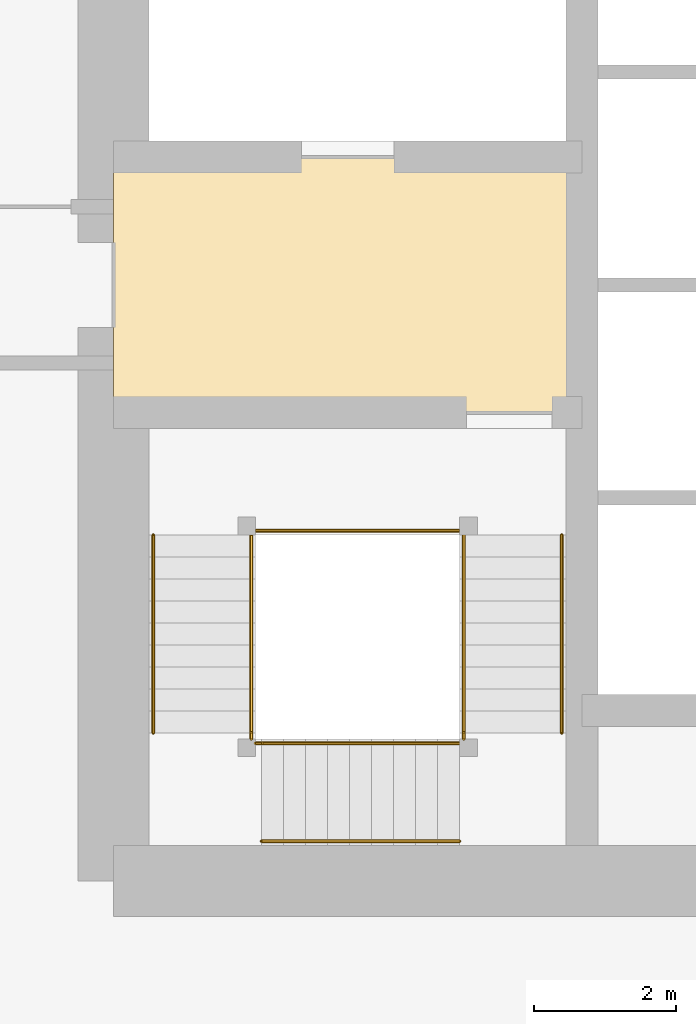
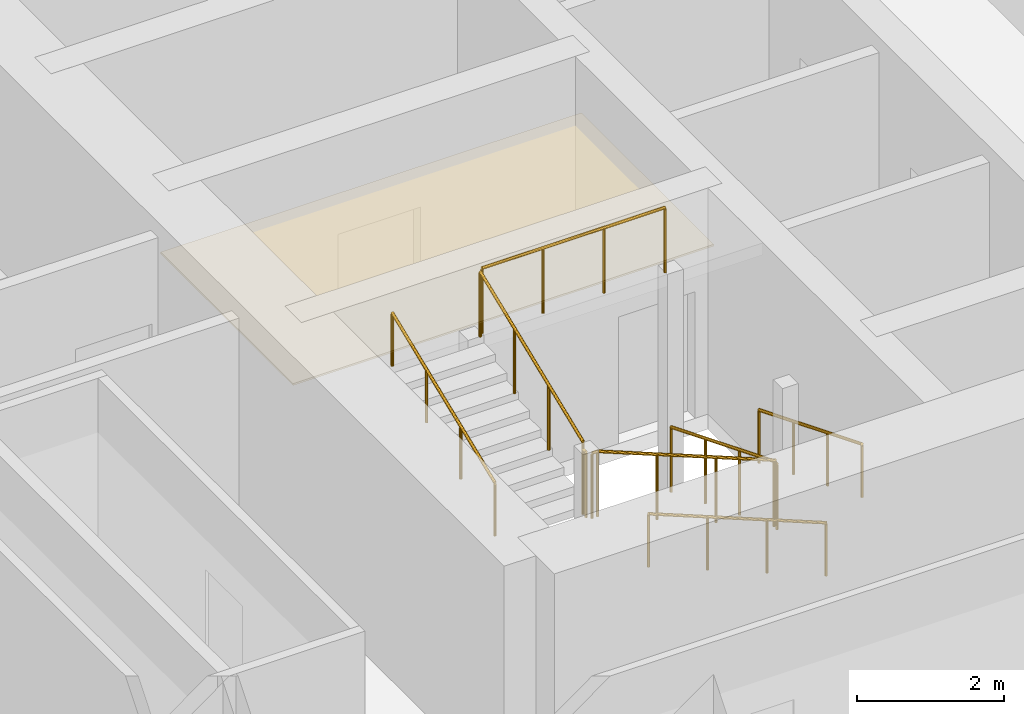
# One storey, part 32 of 38: 10 railings, 1 covering.
"""IFC4 building model written with IfcOpenShell, lengths in metres."""

from ifc_helpers import new_model, si_unit, direction, frame, origin, origin_2d, place, context, subcontext, project, spatial, polyline, circle, outline, extrude, material, layer, layer_set, type_object, element, save


model = new_model("IFC4")

# Units and contexts
model_context = context("Model", 3, precision=1e-05, world=origin(), true_north=direction((0.0, 1.0)))
body_context = subcontext(model_context, "Body", "Model", "MODEL_VIEW")
ifc_project = project(units=[si_unit("LENGTHUNIT", "METRE"), si_unit("AREAUNIT", "SQUARE_METRE"), si_unit("VOLUMEUNIT", "CUBIC_METRE"), si_unit("PLANEANGLEUNIT", "RADIAN"), si_unit("MASSUNIT", "GRAM", prefix="KILO")], contexts=[model_context])

# Site, building, storey
site_placement = place(None, origin())
site = spatial("IfcSite", under=ifc_project, at=site_placement, CompositionType="ELEMENT")
building_placement = place(site_placement, origin())
building = spatial("IfcBuilding", under=site, at=building_placement, Name="Rekha Terrace Tower", CompositionType="ELEMENT")
storey_placement = place(building_placement, frame((0.0, 0.0, 114.050048828125)))
storey = spatial("IfcBuildingStorey", under=building, at=storey_placement, Name="L28", CompositionType="ELEMENT", Elevation=114.050048828125)

# Covering
ifc_material_1 = material(Name="Powder-coated aluminium pan", Category="aluminium")
ifc_layer = layer(ifc_material_1, 0.030029296875)
ifc_layer_set = layer_set([ifc_layer], Name="Powder-coated aluminium pan")
covering_type = type_object("IfcCoveringType", Name="CL3 300x1200 metal pan ceiling", PredefinedType="CEILING", material=ifc_layer_set)
covering_placement = place(storey_placement, frame((0.0, 0.0, 2.570068359375)))
element("IfcCovering", 1, at=covering_placement, inside=storey, type_object=covering_type, Name="Ceiling L28-FLB1", PredefinedType="CEILING", context=body_context, shape_type="SweptSolid", body=[
    extrude(outline(polyline([(31.800048828125, 31.199951171875), (25.199951171875, 31.199951171875), (25.199951171875, 27.60009765625), (31.800048828125, 27.60009765625), (31.800048828125, 31.199951171875)])), origin(), (0.0, 0.0, 1.0), 0.02978515625),
])

# Railings
ifc_material_2 = material(Name="Stainless steel balustrade", Category="steel")
railing_type_1 = type_object("IfcRailingType", Name="GR1 1100 stair guard", PredefinedType="GUARDRAIL", material=ifc_material_2)
railing_1_placement = place(storey_placement, frame((30.135009765625, 25.875, 0.125)))
element("IfcRailing", 2, at=railing_1_placement, inside=storey, type_object=railing_type_1, Name="Guard ST1 L28 flight 1", PredefinedType="GUARDRAIL", context=body_context, shape_type="SweptSolid", body=[
    extrude(circle(Radius=0.02392578125, at=origin_2d()), frame((0.0, 0.0, 1.076171875), z_axis=(0.0, -0.927443287984, 0.373963831907), x_axis=(1.0, 0.0, 0.0)), (0.0, 0.0, 1.0), 3.00830078125),
    extrude(circle(Radius=0.02099609375, at=origin_2d()), origin(), (0.0, 0.0, 1.0), 1.052001953125),
    extrude(circle(Radius=0.02099609375, at=origin_2d()), frame((0.0, -0.929931640625, 0.375)), (0.0, 0.0, 1.0), 1.052001953125),
    extrude(circle(Radius=0.02099609375, at=origin_2d()), frame((0.0, -1.860107421875, 0.75)), (0.0, 0.0, 1.0), 1.052001953125),
    extrude(circle(Radius=0.02099609375, at=origin_2d()), frame((0.0, -2.7900390625, 1.125)), (0.0, 0.0, 1.0), 1.052001953125),
])
railing_2_placement = place(storey_placement, frame((30.074951171875, 22.93994140625, 1.375)))
element("IfcRailing", 3, at=railing_2_placement, inside=storey, type_object=railing_type_1, Name="Guard ST1 L28 flight 2", PredefinedType="GUARDRAIL", context=body_context, shape_type="SweptSolid", body=[
    extrude(circle(Radius=0.02392578125, at=origin_2d()), frame((0.0, 0.0, 1.076171875), z_axis=(-0.927443287984, 0.0, 0.373963831907), x_axis=(0.0, -1.0, 0.0)), (0.0, 0.0, 1.0), 3.00830078125),
    extrude(circle(Radius=0.02099609375, at=origin_2d()), origin(), (0.0, 0.0, 1.0), 1.052001953125),
    extrude(circle(Radius=0.02099609375, at=origin_2d()), frame((-0.929931640625, 0.0, 0.375)), (0.0, 0.0, 1.0), 1.052001953125),
    extrude(circle(Radius=0.02099609375, at=origin_2d()), frame((-1.860107421875, 0.0, 0.75)), (0.0, 0.0, 1.0), 1.052001953125),
    extrude(circle(Radius=0.02099609375, at=origin_2d()), frame((-2.7900390625, 0.0, 1.125)), (0.0, 0.0, 1.0), 1.052001953125),
])
railing_3_placement = place(storey_placement, frame((27.139892578125, 23.0849609375, 2.625)))
element("IfcRailing", 4, at=railing_3_placement, inside=storey, type_object=railing_type_1, Name="Guard ST1 L28 flight 3", PredefinedType="GUARDRAIL", context=body_context, shape_type="SweptSolid", body=[
    extrude(circle(Radius=0.02392578125, at=origin_2d()), frame((0.0, 0.0, 1.076171875), z_axis=(0.0, 0.927443287984, 0.373963831907), x_axis=(-1.0, 0.0, 0.0)), (0.0, 0.0, 1.0), 3.00830078125),
    extrude(circle(Radius=0.02099609375, at=origin_2d()), origin(), (0.0, 0.0, 1.0), 1.052001953125),
    extrude(circle(Radius=0.02099609375, at=origin_2d()), frame((0.0, 0.929931640625, 0.375)), (0.0, 0.0, 1.0), 1.052001953125),
    extrude(circle(Radius=0.02099609375, at=origin_2d()), frame((0.0, 1.860107421875, 0.75)), (0.0, 0.0, 1.0), 1.052001953125),
    extrude(circle(Radius=0.02099609375, at=origin_2d()), frame((0.0, 2.7900390625, 1.125)), (0.0, 0.0, 1.0), 1.052001953125),
])
railing_4_placement = place(storey_placement, frame((30.135009765625, 23.0849609375, 1.25)))
element("IfcRailing", 5, at=railing_4_placement, inside=storey, type_object=railing_type_1, Name="Guard ST1 L28 landing 1", PredefinedType="GUARDRAIL", context=body_context, shape_type="SweptSolid", body=[
    extrude(circle(Radius=0.02392578125, at=origin_2d()), frame((0.0, 0.0, 1.076171875), z_axis=(0.0, -1.0, 0.0), x_axis=(1.0, 0.0, 0.0)), (0.0, 0.0, 1.0), 0.0849609375),
    extrude(circle(Radius=0.02099609375, at=origin_2d()), origin(), (0.0, 0.0, 1.0), 1.052001953125),
    extrude(circle(Radius=0.02099609375, at=origin_2d()), frame((0.0, -0.0849609375, 0.0)), (0.0, 0.0, 1.0), 1.052001953125),
])
railing_5_placement = place(storey_placement, frame((27.284912109375, 22.93994140625, 2.5)))
element("IfcRailing", 6, at=railing_5_placement, inside=storey, type_object=railing_type_1, Name="Guard ST1 L28 landing 2", PredefinedType="GUARDRAIL", context=body_context, shape_type="SweptSolid", body=[
    extrude(circle(Radius=0.02392578125, at=origin_2d()), frame((0.0, 0.0, 1.076171875), z_axis=(-1.0, 0.0, 0.0), x_axis=(0.0, -1.0, 0.0)), (0.0, 0.0, 1.0), 0.0849609375),
    extrude(circle(Radius=0.02099609375, at=origin_2d()), origin(), (0.0, 0.0, 1.0), 1.052001953125),
    extrude(circle(Radius=0.02099609375, at=origin_2d()), frame((-0.0849609375, 0.0, 0.0)), (0.0, 0.0, 1.0), 1.052001953125),
])
railing_6_placement = place(storey_placement, frame((27.139892578125, 23.0849609375, 2.5)))
element("IfcRailing", 7, at=railing_6_placement, inside=storey, type_object=railing_type_1, Name="Guard ST1 L28 landing 3", PredefinedType="GUARDRAIL", context=body_context, shape_type="SweptSolid", body=[
    extrude(circle(Radius=0.02392578125, at=origin_2d()), frame((0.0, 0.0, 1.076171875), z_axis=(0.0, -1.0, 0.0), x_axis=(1.0, 0.0, 0.0)), (0.0, 0.0, 1.0), 0.0849609375),
    extrude(circle(Radius=0.02099609375, at=origin_2d()), origin(), (0.0, 0.0, 1.0), 1.052001953125),
    extrude(circle(Radius=0.02099609375, at=origin_2d()), frame((0.0, -0.0849609375, 0.0)), (0.0, 0.0, 1.0), 1.052001953125),
])
railing_7_placement = place(storey_placement, frame((30.074951171875, 25.93505859375, 3.75)))
element("IfcRailing", 8, at=railing_7_placement, inside=storey, type_object=railing_type_1, Name="Guard ST1 L28 landing 4", PredefinedType="GUARDRAIL", context=body_context, shape_type="SweptSolid", body=[
    extrude(circle(Radius=0.02392578125, at=origin_2d()), frame((0.0, 0.0, 1.076171875), z_axis=(-1.0, 0.0, 0.0), x_axis=(0.0, -1.0, 0.0)), (0.0, 0.0, 1.0), 2.875),
    extrude(circle(Radius=0.02099609375, at=origin_2d()), origin(), (0.0, 0.0, 1.0), 1.052001953125),
    extrude(circle(Radius=0.02099609375, at=origin_2d()), frame((-0.958251953125, 0.0, 0.0)), (0.0, 0.0, 1.0), 1.052001953125),
    extrude(circle(Radius=0.02099609375, at=origin_2d()), frame((-1.916748046875, 0.0, 0.0)), (0.0, 0.0, 1.0), 1.052001953125),
    extrude(circle(Radius=0.02099609375, at=origin_2d()), frame((-2.875, 0.0, 0.0)), (0.0, 0.0, 1.0), 1.052001953125),
])
ifc_material_3 = material(Name="Stainless steel tube", Category="steel")
railing_type_2 = type_object("IfcRailingType", Name="HR1 900 stair handrail", PredefinedType="HANDRAIL", material=ifc_material_3)
railing_8_placement = place(storey_placement, frame((31.514892578125, 25.875, 0.125)))
element("IfcRailing", 9, at=railing_8_placement, inside=storey, type_object=railing_type_2, Name="Handrail ST1 L28 flight 1", PredefinedType="HANDRAIL", context=body_context, shape_type="SweptSolid", body=[
    extrude(circle(Radius=0.02392578125, at=origin_2d()), frame((0.0, 0.0, 0.8759765625), z_axis=(0.0, -0.927443287984, 0.373963831907), x_axis=(1.0, 0.0, 0.0)), (0.0, 0.0, 1.0), 3.00830078125),
    extrude(circle(Radius=0.02099609375, at=origin_2d()), origin(), (0.0, 0.0, 1.0), 0.851806640625),
    extrude(circle(Radius=0.02099609375, at=origin_2d()), frame((0.0, -0.929931640625, 0.375)), (0.0, 0.0, 1.0), 0.851806640625),
    extrude(circle(Radius=0.02099609375, at=origin_2d()), frame((0.0, -1.860107421875, 0.75)), (0.0, 0.0, 1.0), 0.851806640625),
    extrude(circle(Radius=0.02099609375, at=origin_2d()), frame((0.0, -2.7900390625, 1.125)), (0.0, 0.0, 1.0), 0.851806640625),
])
railing_9_placement = place(storey_placement, frame((30.074951171875, 21.56005859375, 1.375)))
element("IfcRailing", 10, at=railing_9_placement, inside=storey, type_object=railing_type_2, Name="Handrail ST1 L28 flight 2", PredefinedType="HANDRAIL", context=body_context, shape_type="SweptSolid", body=[
    extrude(circle(Radius=0.02392578125, at=origin_2d()), frame((0.0, 0.0, 0.8759765625), z_axis=(-0.927443287984, 0.0, 0.373963831907), x_axis=(0.0, -1.0, 0.0)), (0.0, 0.0, 1.0), 3.00830078125),
    extrude(circle(Radius=0.02099609375, at=origin_2d()), origin(), (0.0, 0.0, 1.0), 0.851806640625),
    extrude(circle(Radius=0.02099609375, at=origin_2d()), frame((-0.929931640625, 0.0, 0.375)), (0.0, 0.0, 1.0), 0.851806640625),
    extrude(circle(Radius=0.02099609375, at=origin_2d()), frame((-1.860107421875, 0.0, 0.75)), (0.0, 0.0, 1.0), 0.851806640625),
    extrude(circle(Radius=0.02099609375, at=origin_2d()), frame((-2.7900390625, 0.0, 1.125)), (0.0, 0.0, 1.0), 0.851806640625),
])
railing_10_placement = place(storey_placement, frame((25.760009765625, 23.0849609375, 2.625)))
element("IfcRailing", 11, at=railing_10_placement, inside=storey, type_object=railing_type_2, Name="Handrail ST1 L28 flight 3", PredefinedType="HANDRAIL", context=body_context, shape_type="SweptSolid", body=[
    extrude(circle(Radius=0.02392578125, at=origin_2d()), frame((0.0, 0.0, 0.8759765625), z_axis=(0.0, 0.927443287984, 0.373963831907), x_axis=(-1.0, 0.0, 0.0)), (0.0, 0.0, 1.0), 3.00830078125),
    extrude(circle(Radius=0.02099609375, at=origin_2d()), origin(), (0.0, 0.0, 1.0), 0.851806640625),
    extrude(circle(Radius=0.02099609375, at=origin_2d()), frame((0.0, 0.929931640625, 0.375)), (0.0, 0.0, 1.0), 0.851806640625),
    extrude(circle(Radius=0.02099609375, at=origin_2d()), frame((0.0, 1.860107421875, 0.75)), (0.0, 0.0, 1.0), 0.851806640625),
    extrude(circle(Radius=0.02099609375, at=origin_2d()), frame((0.0, 2.7900390625, 1.125)), (0.0, 0.0, 1.0), 0.851806640625),
])

save(model, "model.ifc")
